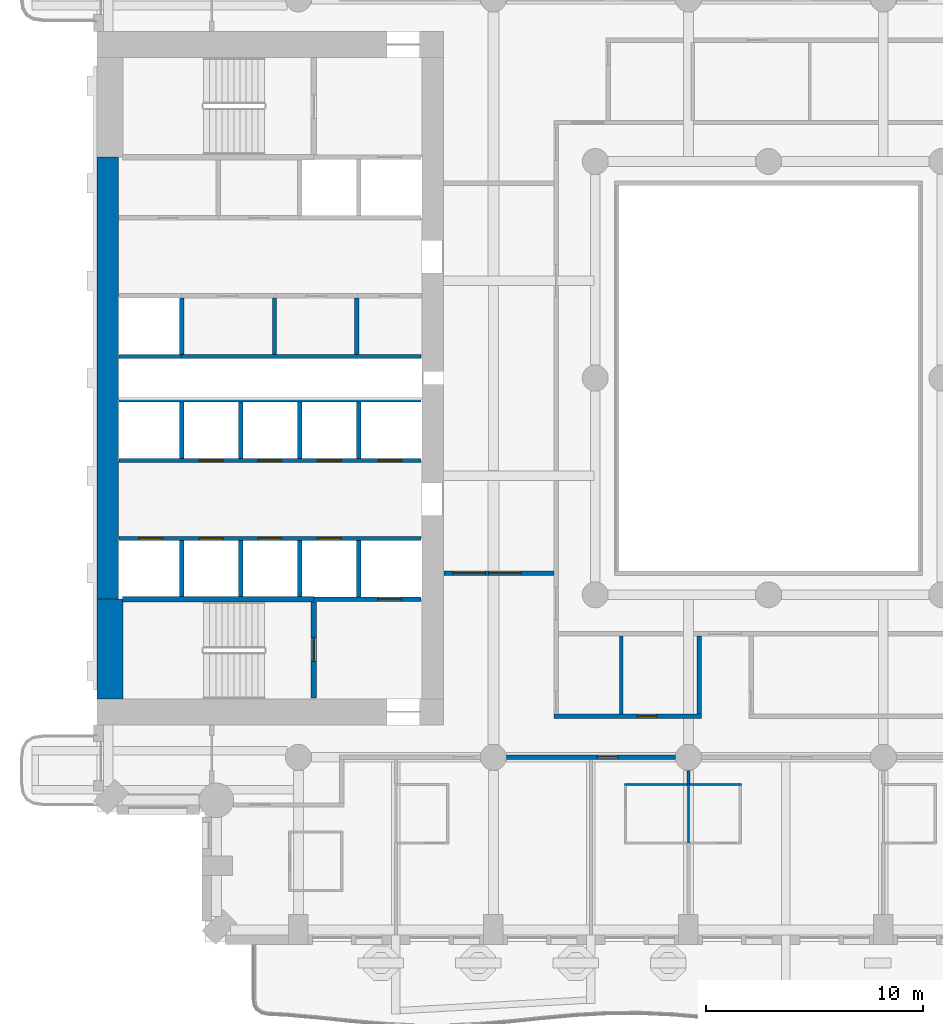
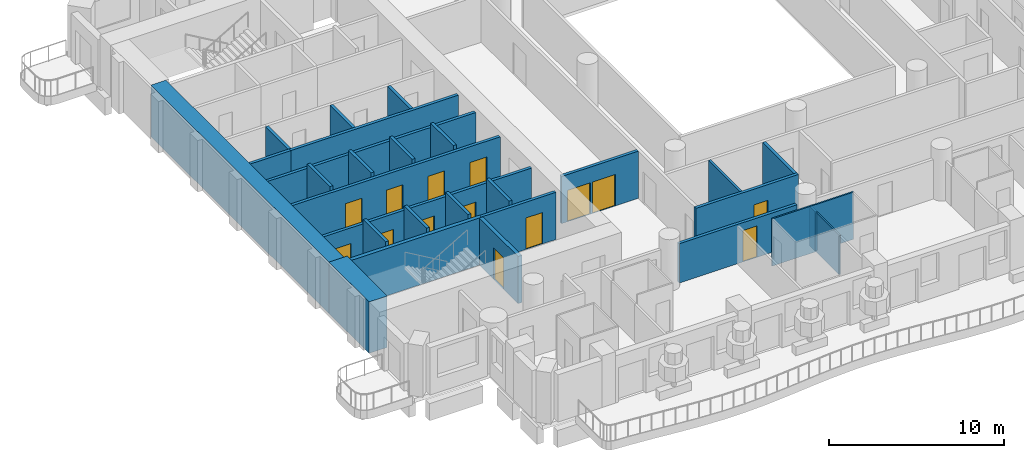
# One storey, part 4 of 20: 29 walls, 14 doors, 14 openings.
"""IFC4 building model written with IfcOpenShell, lengths in metres."""

import ifcopenshell
import ifcopenshell.guid

model = None  # the IFC model being written
_history = None  # IfcOwnerHistory: only IFC2X3 demands one
_inside = {}  # id of a spatial element -> (the spatial element, [elements in it])
_under = {}  # id of a project, library or spatial element -> (it, [spatial elements below it])
_declared = {}  # id of a project -> (the project, [libraries it declares])
_typed = {}  # id of a type object -> (the type object, [elements of that type])
_made_of = {}  # id of a material, layer set ... -> (it, [elements and type objects made of it])


def new_model(schema):
    """Start an empty IFC model of exactly this schema.

    Asked for "IFC4X3", IfcOpenShell would pick the latest addendum, in which some entities
    have other attributes; the version numbers below select the first issue.
    IFC2X3 requires an IfcOwnerHistory on every rooted entity: one is made here for all.
    """
    global model, _history
    if schema == "IFC4X3":
        model = ifcopenshell.file(schema_version=(4, 3, 0, 0))
    else:
        model = ifcopenshell.file(schema=schema)
    _inside.clear()
    _under.clear()
    _declared.clear()
    _typed.clear()
    _made_of.clear()
    _history = None
    if model.schema == "IFC2X3":
        org = make("IfcOrganization", Name="unknown")
        user = make(
            "IfcPersonAndOrganization",
            ThePerson=make("IfcPerson", FamilyName="unknown"),
            TheOrganization=org,
        )
        app = make(
            "IfcApplication",
            ApplicationDeveloper=org,
            Version="unknown",
            ApplicationFullName="unknown",
            ApplicationIdentifier="unknown",
        )
        _history = make(
            "IfcOwnerHistory",
            OwningUser=user,
            OwningApplication=app,
            ChangeAction="ADDED",
            CreationDate=0,
        )
    return model


def make(cls, **values):
    """One entity of the class cls with the attributes given. An attribute that is None is left unset."""
    return model.create_entity(
        cls, **{name: value for name, value in values.items() if value is not None}
    )


def rooted(cls, **values):
    """An entity with a GlobalId (a new one), such as an element, a storey or a relation."""
    return make(cls, GlobalId=ifcopenshell.guid.new(), OwnerHistory=_history, **values)


def si_unit(unit_type, name, prefix=None):
    """IfcSIUnit, for example si_unit("LENGTHUNIT", "METRE", prefix="MILLI")."""
    return make("IfcSIUnit", UnitType=unit_type, Prefix=prefix, Name=name)


def assignment(units):
    """IfcUnitAssignment: the units of a project."""
    return None if units is None else make("IfcUnitAssignment", Units=units)


def point(xyz):
    """IfcCartesianPoint."""
    return None if xyz is None else make("IfcCartesianPoint", Coordinates=xyz)


def direction(xyz):
    """IfcDirection."""
    return None if xyz is None else make("IfcDirection", DirectionRatios=xyz)


def frame(location, z_axis=None, x_axis=None):
    """IfcAxis2Placement3D, a coordinate frame: its origin and axes. An axis left out is left unset."""
    return make(
        "IfcAxis2Placement3D",
        Location=point(location),
        Axis=direction(z_axis),
        RefDirection=direction(x_axis),
    )


def frame_2d(location, x_axis=None):
    """IfcAxis2Placement2D, a coordinate frame in the plane: its origin and x axis."""
    return make(
        "IfcAxis2Placement2D", Location=point(location), RefDirection=direction(x_axis)
    )


def origin():
    """The frame at (0, 0, 0) with its axes left unset."""
    return frame((0.0, 0.0, 0.0))


def place(relative_to, where):
    """IfcLocalPlacement: puts the frame where relative to a parent placement (None: the world)."""
    return make(
        "IfcLocalPlacement", PlacementRelTo=relative_to, RelativePlacement=where
    )


def context(
    kind, dimensions, precision=None, world=None, true_north=None, identifier=None
):
    """IfcGeometricRepresentationContext, for example the 3D "Model" context."""
    return make(
        "IfcGeometricRepresentationContext",
        ContextIdentifier=identifier,
        ContextType=kind,
        CoordinateSpaceDimension=dimensions,
        Precision=precision,
        WorldCoordinateSystem=world,
        TrueNorth=true_north,
    )


def subcontext(parent, identifier, kind, view, scale=None):
    """IfcGeometricRepresentationSubContext, for example "Body" below "Model"."""
    return make(
        "IfcGeometricRepresentationSubContext",
        ContextIdentifier=identifier,
        ContextType=kind,
        ParentContext=parent,
        TargetScale=scale,
        TargetView=view,
    )


def project(units=None, contexts=None):
    """IfcProject with its units and contexts."""
    return rooted(
        "IfcProject",
        Name="project",
        RepresentationContexts=contexts,
        UnitsInContext=assignment(units),
    )


def spatial(cls, under=None, at=None, **own):
    """A site, building, storey or space (cls), placed at a placement, below another one or the project."""
    s = rooted(cls, ObjectPlacement=at, **own)
    if under is not None:
        _under.setdefault(under.id(), (under, []))[1].append(s)
    return s


def profile(cls, at=None, kind="AREA", **sizes):
    """A parametric profile (cls). Its sizes go by their IFC names, for example OverallWidth=200.0."""
    return make(cls, ProfileType=kind, Position=at, **sizes)


def rectangle(**sizes):
    """IfcRectangleProfileDef."""
    return profile("IfcRectangleProfileDef", **sizes)


def extrude(swept, where, along, depth):
    """IfcExtrudedAreaSolid: the profile swept, set in the frame where, extruded along a direction by depth."""
    return make(
        "IfcExtrudedAreaSolid",
        SweptArea=swept,
        Position=where,
        ExtrudedDirection=direction(along),
        Depth=depth,
    )


def shape(context_of_items, identifier, shape_type, items):
    """IfcShapeRepresentation: the items that make up one representation, for example the "Body"."""
    return make(
        "IfcShapeRepresentation",
        ContextOfItems=context_of_items,
        RepresentationIdentifier=identifier,
        RepresentationType=shape_type,
        Items=items,
    )


def material(Name=None, Category=None):
    """IfcMaterial."""
    return make("IfcMaterial", Name=Name, Category=Category)


def layer(
    of_material, thickness, ventilated=None, Name=None, Category=None, Priority=None
):
    """IfcMaterialLayer: one layer of a wall or slab, of a material (None: an air gap)."""
    return make(
        "IfcMaterialLayer",
        Material=of_material,
        LayerThickness=thickness,
        IsVentilated=ventilated,
        Name=Name,
        Category=Category,
        Priority=Priority,
    )


def layer_set(layers, Name=None):
    """IfcMaterialLayerSet."""
    return make("IfcMaterialLayerSet", MaterialLayers=layers, LayerSetName=Name)


def made_of(thing, what):
    """Note that an element or type object is made of a material, layer set ...; save() writes the relation."""
    if what is not None:
        _made_of.setdefault(what.id(), (what, []))[1].append(thing)
    return thing


def type_object(cls, material=None, **own):
    """A type object (cls), such as IfcWallType, which elements share."""
    return made_of(rooted(cls, **own), material)


def element(
    cls,
    number,
    at=None,
    inside=None,
    cuts=None,
    type_object=None,
    material=None,
    context=None,
    identifier="Body",
    shape_type=None,
    held_by="IfcProductDefinitionShape",
    body=None,
    shapes=None,
    **own,
):
    """One element of the class cls, such as IfcWall. Its Tag is "e" and its number.

    at: its placement. inside: the storey or other place that contains it. cuts: it is an
    opening in that element (IfcRelVoidsElement). A single representation is given by context,
    identifier, shape_type and body (its items); several are given by shapes. held_by: the class
    of the entity that holds the representations. save() writes the other relations.
    """
    e = rooted(cls, Tag="e%d" % number, ObjectPlacement=at, **own)
    if body is not None:
        shapes = [shape(context, identifier, shape_type, body)]
    if shapes is not None:
        e.Representation = make(held_by, Representations=shapes)
    if inside is not None:
        _inside.setdefault(inside.id(), (inside, []))[1].append(e)
    if cuts is not None:
        rooted(
            "IfcRelVoidsElement", RelatingBuildingElement=cuts, RelatedOpeningElement=e
        )
    if type_object is not None:
        _typed.setdefault(type_object.id(), (type_object, []))[1].append(e)
    return made_of(e, material)


def fill(opening, filler):
    """IfcRelFillsElement: the door or window that sits in an opening."""
    return rooted(
        "IfcRelFillsElement",
        RelatingOpeningElement=opening,
        RelatedBuildingElement=filler,
    )


def aggregate(whole, parts):
    """IfcRelAggregates: a whole, such as a stair, and the parts it consists of."""
    return rooted("IfcRelAggregates", RelatingObject=whole, RelatedObjects=parts)


def save(model, path):
    """Write the relations noted so far, then the file.

    IfcRelAggregates (storeys below a building ...), IfcRelContainedInSpatialStructure (elements
    in a storey), IfcRelDefinesByType, IfcRelAssociatesMaterial and IfcRelDeclares: one each for
    every whole, place, type object, material and project.
    """
    for whole, parts in _under.values():
        aggregate(whole, parts)
    for where, things in _inside.values():
        rooted(
            "IfcRelContainedInSpatialStructure",
            RelatedElements=things,
            RelatingStructure=where,
        )
    for kind, things in _typed.values():
        rooted("IfcRelDefinesByType", RelatedObjects=things, RelatingType=kind)
    for what, things in _made_of.values():
        rooted("IfcRelAssociatesMaterial", RelatedObjects=things, RelatingMaterial=what)
    for by, libraries in _declared.values():
        rooted("IfcRelDeclares", RelatingContext=by, RelatedDefinitions=libraries)
    model.write(path)


model = new_model("IFC4")

# Units and contexts
model_context = context("Model", 3, precision=1e-05, world=origin(), true_north=direction((0.0, 1.0)))
body_context = subcontext(model_context, "Body", "Model", "MODEL_VIEW")
ifc_project = project(units=[si_unit("LENGTHUNIT", "METRE"), si_unit("AREAUNIT", "SQUARE_METRE"), si_unit("VOLUMEUNIT", "CUBIC_METRE"), si_unit("PLANEANGLEUNIT", "RADIAN"), si_unit("MASSUNIT", "GRAM", prefix="KILO")], contexts=[model_context])

# Site, building, storey
site_placement = place(None, origin())
site = spatial("IfcSite", under=ifc_project, at=site_placement, CompositionType="ELEMENT")
building_placement = place(site_placement, origin())
building = spatial("IfcBuilding", under=site, at=building_placement, Name="Cypress Arch Tower", CompositionType="ELEMENT")
storey_placement = place(building_placement, frame((0.0, 0.0, 87.89990234375)))
storey = spatial("IfcBuildingStorey", under=building, at=storey_placement, Name="L16", CompositionType="ELEMENT", Elevation=87.89990234375)

# Walls
ifc_material_1 = material(Name="Concrete C80/95", Category="concrete")
ifc_layer_1 = layer(ifc_material_1, 1.0)
ifc_layer_set_1 = layer_set([ifc_layer_1], Name="Core wall CW1000 C80/95")
wall_type_1 = type_object("IfcWallType", Name="Core wall CW1000 C80/95", PredefinedType="SHEAR", material=ifc_layer_set_1)
wall_1_placement = place(storey_placement, frame((-29.5, -10.199951171875, 0.0), z_axis=(0.0, 0.0, 1.0), x_axis=(0.0, 1.0, 0.0)))
element("IfcWall", 1, at=wall_1_placement, inside=storey, type_object=wall_type_1, Name="Core wall", PredefinedType="SHEAR", context=body_context, shape_type="SweptSolid", body=[
    extrude(rectangle(XDim=20.39990234375, YDim=1.0, at=frame_2d((10.199951171875, 0.0))), origin(), (0.0, 0.0, 1.0), 3.60009765625),
])
ifc_material_2 = material(Name="Concrete C80/95", Category="concrete")
ifc_layer_2 = layer(ifc_material_2, 1.199951171875)
ifc_layer_set_2 = layer_set([ifc_layer_2], Name="Core wall CW1200 C80/95")
wall_type_2 = type_object("IfcWallType", Name="Core wall CW1200 C80/95", PredefinedType="SHEAR", material=ifc_layer_set_2)
wall_2_placement = place(storey_placement, frame((-29.39990234375, -14.800048828125, 0.0), z_axis=(0.0, 0.0, 1.0), x_axis=(0.0, 1.0, 0.0)))
element("IfcWall", 2, at=wall_2_placement, inside=storey, type_object=wall_type_2, Name="Core wall", PredefinedType="SHEAR", context=body_context, shape_type="SweptSolid", body=[
    extrude(rectangle(XDim=4.60009765625, YDim=1.199951171875, at=frame_2d((2.300048828125, 0.0))), origin(), (0.0, 0.0, 1.0), 3.60009765625),
])

# Wall, opening, door
ifc_material_3 = material(Name="Concrete blockwork, plastered, rated", Category="masonry")
ifc_layer_3 = layer(ifc_material_3, 0.199951171875)
ifc_layer_set_3 = layer_set([ifc_layer_3], Name="Corridor wall FW200")
wall_type_3 = type_object("IfcWallType", Name="Corridor wall FW200", PredefinedType="PARTITIONING", material=ifc_layer_set_3)
wall_3_placement = place(storey_placement, frame((-11.10009765625, -17.5, 0.0), z_axis=(0.0, 0.0, 1.0), x_axis=(1.0, 0.0, 0.0)))
wall_3 = element("IfcWall", 3, at=wall_3_placement, inside=storey, type_object=wall_type_3, Name="Corridor wall", PredefinedType="PARTITIONING", context=body_context, shape_type="SweptSolid", body=[
    extrude(rectangle(XDim=7.800048828125, YDim=0.199951171875, at=frame_2d((3.89990234375, 0.0))), origin(), (0.0, 0.0, 1.0), 2.75),
])
opening_1_placement = place(wall_3_placement, frame((4.199951171875, 0.0, 0.0)))
opening_1 = element("IfcOpeningElement", 4, at=opening_1_placement, cuts=wall_3, Name="Opening D02", PredefinedType="OPENING", context=body_context, shape_type="SweptSolid", body=[
    extrude(rectangle(XDim=0.949951171875, YDim=2.199951171875, at=frame_2d((0.47509765625, 1.10009765625))), frame((0.0, 0.10986328125, 0.0), z_axis=(0.0, -1.0, 0.0), x_axis=(1.0, 0.0, 0.0)), (0.0, 0.0, 1.0), 0.219970703125),
])
ifc_material_4 = material(Name="Timber flush door, fire resisting", Category="wood")
door_type_1 = type_object("IfcDoorType", Name="Room door D02 950x2200", OperationType="SINGLE_SWING_LEFT", PredefinedType="DOOR", material=ifc_material_4)
door_1_placement = place(opening_1_placement, origin())
door_1 = element("IfcDoor", 5, at=door_1_placement, inside=storey, type_object=door_type_1, Name="Room door", OperationType="SINGLE_SWING_RIGHT", OverallHeight=2.199951171875, OverallWidth=0.949951171875, PredefinedType="DOOR", context=body_context, shape_type="SweptSolid", body=[
    extrude(rectangle(XDim=0.949951171875, YDim=2.199951171875, at=frame_2d((0.47509765625, 1.10009765625))), frame((0.0, 0.02490234375, 0.0), z_axis=(0.0, -1.0, 0.0), x_axis=(1.0, 0.0, 0.0)), (0.0, 0.0, 1.0), 0.050048828125),
])
fill(opening_1, door_1)

# Wall, openings, doors
wall_4_placement = place(storey_placement, frame((-13.969970703125, -9.0, 0.0), z_axis=(0.0, 0.0, 1.0), x_axis=(1.0, 0.0, 0.0)))
wall_4 = element("IfcWall", 6, at=wall_4_placement, inside=storey, type_object=wall_type_3, Name="Corridor wall", PredefinedType="PARTITIONING", context=body_context, shape_type="SweptSolid", body=[
    extrude(rectangle(XDim=5.070068359375, YDim=0.199951171875, at=frame_2d((2.53515625, 0.0))), origin(), (0.0, 0.0, 1.0), 3.300048828125),
])
opening_2_placement = place(wall_4_placement, frame((0.39990234375, 0.0, 0.0)))
opening_2 = element("IfcOpeningElement", 7, at=opening_2_placement, cuts=wall_4, Name="Opening D04", PredefinedType="OPENING", context=body_context, shape_type="SweptSolid", body=[
    extrude(rectangle(XDim=1.5, YDim=2.199951171875, at=frame_2d((0.75, 1.10009765625))), frame((0.0, 0.10986328125, 0.0), z_axis=(0.0, -1.0, 0.0), x_axis=(1.0, 0.0, 0.0)), (0.0, 0.0, 1.0), 0.219970703125),
])
opening_3_placement = place(wall_4_placement, frame((2.050048828125, 0.0, 0.0)))
opening_3 = element("IfcOpeningElement", 8, at=opening_3_placement, cuts=wall_4, Name="Opening D04", PredefinedType="OPENING", context=body_context, shape_type="SweptSolid", body=[
    extrude(rectangle(XDim=1.5, YDim=2.199951171875, at=frame_2d((0.75, 1.10009765625))), frame((0.0, 0.10986328125, 0.0), z_axis=(0.0, -1.0, 0.0), x_axis=(1.0, 0.0, 0.0)), (0.0, 0.0, 1.0), 0.219970703125),
])
ifc_material_5 = material(Name="Timber double door", Category="wood")
door_type_2 = type_object("IfcDoorType", Name="Double door D04 1500x2200", OperationType="DOUBLE_DOOR_SINGLE_SWING", PredefinedType="DOOR", material=ifc_material_5)
door_2_placement = place(opening_2_placement, origin())
door_2 = element("IfcDoor", 9, at=door_2_placement, inside=storey, type_object=door_type_2, Name="Double door", OperationType="DOUBLE_DOOR_SINGLE_SWING", OverallHeight=2.199951171875, OverallWidth=1.5, PredefinedType="DOOR", context=body_context, shape_type="SweptSolid", body=[
    extrude(rectangle(XDim=1.5, YDim=2.199951171875, at=frame_2d((0.75, 1.10009765625))), frame((0.0, 0.02490234375, 0.0), z_axis=(0.0, -1.0, 0.0), x_axis=(1.0, 0.0, 0.0)), (0.0, 0.0, 1.0), 0.050048828125),
])
fill(opening_2, door_2)
door_3_placement = place(opening_3_placement, origin())
door_3 = element("IfcDoor", 10, at=door_3_placement, inside=storey, type_object=door_type_2, Name="Double door", OperationType="DOUBLE_DOOR_SINGLE_SWING", OverallHeight=2.199951171875, OverallWidth=1.5, PredefinedType="DOOR", context=body_context, shape_type="SweptSolid", body=[
    extrude(rectangle(XDim=1.5, YDim=2.199951171875, at=frame_2d((0.75, 1.10009765625))), frame((0.0, 0.02490234375, 0.0), z_axis=(0.0, -1.0, 0.0), x_axis=(1.0, 0.0, 0.0)), (0.0, 0.0, 1.0), 0.050048828125),
])
fill(opening_3, door_3)

# Wall, opening, door
wall_5_placement = place(storey_placement, frame((-8.89990234375, -15.60009765625, 0.0), z_axis=(0.0, 0.0, 1.0), x_axis=(1.0, 0.0, 0.0)))
wall_5 = element("IfcWall", 11, at=wall_5_placement, inside=storey, type_object=wall_type_3, Name="Corridor wall", PredefinedType="PARTITIONING", context=body_context, shape_type="SweptSolid", body=[
    extrude(rectangle(XDim=6.7998046875, YDim=0.199951171875, at=frame_2d((3.39990234375, 0.0))), origin(), (0.0, 0.0, 1.0), 3.300048828125),
])
opening_4_placement = place(wall_5_placement, frame((3.85009765625, 0.0, 0.0)))
opening_4 = element("IfcOpeningElement", 12, at=opening_4_placement, cuts=wall_5, Name="Opening D05", PredefinedType="OPENING", context=body_context, shape_type="SweptSolid", body=[
    extrude(rectangle(XDim=0.89990234375, YDim=2.199951171875, at=frame_2d((0.449951171875, 1.10009765625))), frame((0.0, 0.10986328125, 0.0), z_axis=(0.0, -1.0, 0.0), x_axis=(1.0, 0.0, 0.0)), (0.0, 0.0, 1.0), 0.219970703125),
])
ifc_material_6 = material(Name="Timber flush door", Category="wood")
door_type_3 = type_object("IfcDoorType", Name="Service door D05 900x2200", OperationType="SINGLE_SWING_LEFT", PredefinedType="DOOR", material=ifc_material_6)
door_4_placement = place(opening_4_placement, origin())
door_4 = element("IfcDoor", 13, at=door_4_placement, inside=storey, type_object=door_type_3, Name="Service door", OperationType="SINGLE_SWING_LEFT", OverallHeight=2.199951171875, OverallWidth=0.89990234375, PredefinedType="DOOR", context=body_context, shape_type="SweptSolid", body=[
    extrude(rectangle(XDim=0.89990234375, YDim=2.199951171875, at=frame_2d((0.449951171875, 1.10009765625))), frame((0.0, 0.02490234375, 0.0), z_axis=(0.0, -1.0, 0.0), x_axis=(1.0, 0.0, 0.0)), (0.0, 0.0, 1.0), 0.050048828125),
])
fill(opening_4, door_4)

# Walls
wall_6_placement = place(storey_placement, frame((-2.199951171875, -15.5, 0.0), z_axis=(0.0, 0.0, 1.0), x_axis=(0.0, 1.0, 0.0)))
element("IfcWall", 14, at=wall_6_placement, inside=storey, type_object=wall_type_3, Name="Corridor wall", PredefinedType="PARTITIONING", context=body_context, shape_type="SweptSolid", body=[
    extrude(rectangle(XDim=3.60009765625, YDim=0.199951171875, at=frame_2d((1.800048828125, 0.0))), origin(), (0.0, 0.0, 1.0), 3.300048828125),
])
ifc_material_7 = material(Name="Blockwork, plastered both sides", Category="masonry")
ifc_layer_4 = layer(ifc_material_7, 0.14990234375)
ifc_layer_set_4 = layer_set([ifc_layer_4], Name="Partition PW150")
wall_type_4 = type_object("IfcWallType", Name="Partition PW150", PredefinedType="PARTITIONING", material=ifc_layer_set_4)
wall_7_placement = place(storey_placement, frame((-5.800048828125, -15.5, 0.0), z_axis=(0.0, 0.0, 1.0), x_axis=(0.0, 1.0, 0.0)))
element("IfcWall", 15, at=wall_7_placement, inside=storey, type_object=wall_type_4, Name="Partition", PredefinedType="PARTITIONING", context=body_context, shape_type="SweptSolid", body=[
    extrude(rectangle(XDim=3.60009765625, YDim=0.14990234375, at=frame_2d((1.800048828125, 0.0))), origin(), (0.0, 0.0, 1.0), 3.300048828125),
])
wall_8_placement = place(storey_placement, frame((-2.699951171875, -18.72998046875, 0.0), z_axis=(0.0, 0.0, 1.0), x_axis=(0.0, 1.0, 0.0)))
element("IfcWall", 16, at=wall_8_placement, inside=storey, type_object=wall_type_4, Name="Partition", PredefinedType="PARTITIONING", context=body_context, shape_type="SweptSolid", body=[
    extrude(rectangle(XDim=0.6298828125, YDim=0.14990234375, at=frame_2d((0.31494140625, 0.0))), origin(), (0.0, 0.0, 1.0), 2.75),
])
ifc_material_8 = material(Name="Reinforced blockwork, plastered, rated", Category="masonry")
ifc_layer_5 = layer(ifc_material_8, 0.199951171875)
ifc_layer_set_5 = layer_set([ifc_layer_5], Name="Plant and riser wall PL200")
wall_type_5 = type_object("IfcWallType", Name="Plant and riser wall PL200", PredefinedType="PARTITIONING", material=ifc_layer_set_5)
wall_9_placement = place(storey_placement, frame((-26.10009765625, 1.0, 0.0), z_axis=(0.0, 0.0, 1.0), x_axis=(1.0, 0.0, 0.0)))
element("IfcWall", 17, at=wall_9_placement, inside=storey, type_object=wall_type_5, Name="Plant and riser wall", PredefinedType="PARTITIONING", context=body_context, shape_type="SweptSolid", body=[
    extrude(rectangle(XDim=11.070068359375, YDim=0.199951171875, at=frame_2d((5.53515625, 0.0))), origin(), (0.0, 0.0, 1.0), 3.300048828125),
])
for number, where, z_axis, x_axis, name in (
    (18, (-21.800048828125, 1.10009765625, 0.0), (0.0, 0.0, 1.0), (0.0, 1.0, 0.0), "Plant and riser wall"),
    (19, (-18.0, 1.10009765625, 0.0), (0.0, 0.0, 1.0), (0.0, 1.0, 0.0), "Plant and riser wall"),
):
    element("IfcWall", number, at=place(storey_placement, frame(where, z_axis=z_axis, x_axis=x_axis)), inside=storey, type_object=wall_type_5, Name=name, PredefinedType="PARTITIONING", context=body_context, shape_type="SweptSolid", body=[
        extrude(rectangle(XDim=2.599853515625, YDim=0.199951171875, at=frame_2d((1.2998046875, 0.0))), origin(), (0.0, 0.0, 1.0), 3.300048828125),
    ])

# Wall, openings, doors
ifc_material_9 = material(Name="Concrete C50/60", Category="concrete")
ifc_layer_6 = layer(ifc_material_9, 0.199951171875)
ifc_layer_set_6 = layer_set([ifc_layer_6], Name="Shaft wall SH200")
wall_type_6 = type_object("IfcWallType", Name="Shaft wall SH200", PredefinedType="SHEAR", material=ifc_layer_set_6)
wall_10_placement = place(storey_placement, frame((-28.969970703125, -7.39990234375, 0.0), z_axis=(0.0, 0.0, 1.0), x_axis=(1.0, 0.0, 0.0)))
wall_10 = element("IfcWall", 20, at=wall_10_placement, inside=storey, type_object=wall_type_6, Name="Shaft wall", PredefinedType="SHEAR", context=body_context, shape_type="SweptSolid", body=[
    extrude(rectangle(XDim=13.93994140625, YDim=0.199951171875, at=frame_2d((6.969970703125, 0.0))), origin(), (0.0, 0.0, 1.0), 3.300048828125),
])
opening_5_placement = place(wall_10_placement, frame((0.89990234375, 0.0, 0.0)))
opening_5 = element("IfcOpeningElement", 21, at=opening_5_placement, cuts=wall_10, Name="Opening LD-LR1", PredefinedType="OPENING", context=body_context, shape_type="SweptSolid", body=[
    extrude(rectangle(XDim=1.10009765625, YDim=2.199951171875, at=frame_2d((0.550048828125, 1.10009765625))), frame((0.0, 0.10986328125, 0.0), z_axis=(0.0, -1.0, 0.0), x_axis=(1.0, 0.0, 0.0)), (0.0, 0.0, 1.0), 0.219970703125),
])
opening_6_placement = place(wall_10_placement, frame((3.699951171875, 0.0, 0.0)))
opening_6 = element("IfcOpeningElement", 22, at=opening_6_placement, cuts=wall_10, Name="Opening LD-LR2", PredefinedType="OPENING", context=body_context, shape_type="SweptSolid", body=[
    extrude(rectangle(XDim=1.10009765625, YDim=2.199951171875, at=frame_2d((0.550048828125, 1.10009765625))), frame((0.0, 0.10986328125, 0.0), z_axis=(0.0, -1.0, 0.0), x_axis=(1.0, 0.0, 0.0)), (0.0, 0.0, 1.0), 0.219970703125),
])
opening_7_placement = place(wall_10_placement, frame((6.39990234375, 0.0, 0.0)))
opening_7 = element("IfcOpeningElement", 23, at=opening_7_placement, cuts=wall_10, Name="Opening LD-LR3", PredefinedType="OPENING", context=body_context, shape_type="SweptSolid", body=[
    extrude(rectangle(XDim=1.10009765625, YDim=2.199951171875, at=frame_2d((0.550048828125, 1.10009765625))), frame((0.0, 0.10986328125, 0.0), z_axis=(0.0, -1.0, 0.0), x_axis=(1.0, 0.0, 0.0)), (0.0, 0.0, 1.0), 0.219970703125),
])
opening_8_placement = place(wall_10_placement, frame((9.14990234375, 0.0, 0.0)))
opening_8 = element("IfcOpeningElement", 24, at=opening_8_placement, cuts=wall_10, Name="Opening LD-LR4", PredefinedType="OPENING", context=body_context, shape_type="SweptSolid", body=[
    extrude(rectangle(XDim=1.10009765625, YDim=2.199951171875, at=frame_2d((0.550048828125, 1.10009765625))), frame((0.0, 0.10986328125, 0.0), z_axis=(0.0, -1.0, 0.0), x_axis=(1.0, 0.0, 0.0)), (0.0, 0.0, 1.0), 0.219970703125),
])
ifc_material_10 = material(Name="Stainless steel centre-opening landing door, rated", Category="steel")
door_type_4 = type_object("IfcDoorType", Name="Lift landing door LD 1100x2200", OperationType="DOUBLE_DOOR_SLIDING", PredefinedType="DOOR", material=ifc_material_10)
door_5_placement = place(opening_5_placement, origin())
door_5 = element("IfcDoor", 25, at=door_5_placement, inside=storey, type_object=door_type_4, Name="Lift landing doors LR1", OperationType="DOUBLE_DOOR_SLIDING", OverallHeight=2.199951171875, OverallWidth=1.10009765625, PredefinedType="DOOR", context=body_context, shape_type="SweptSolid", body=[
    extrude(rectangle(XDim=1.10009765625, YDim=2.199951171875, at=frame_2d((0.550048828125, 1.10009765625))), frame((0.0, 0.02490234375, 0.0), z_axis=(0.0, -1.0, 0.0), x_axis=(1.0, 0.0, 0.0)), (0.0, 0.0, 1.0), 0.050048828125),
])
fill(opening_5, door_5)
door_6_placement = place(opening_6_placement, origin())
door_6 = element("IfcDoor", 26, at=door_6_placement, inside=storey, type_object=door_type_4, Name="Lift landing doors LR2", OperationType="DOUBLE_DOOR_SLIDING", OverallHeight=2.199951171875, OverallWidth=1.10009765625, PredefinedType="DOOR", context=body_context, shape_type="SweptSolid", body=[
    extrude(rectangle(XDim=1.10009765625, YDim=2.199951171875, at=frame_2d((0.550048828125, 1.10009765625))), frame((0.0, 0.02490234375, 0.0), z_axis=(0.0, -1.0, 0.0), x_axis=(1.0, 0.0, 0.0)), (0.0, 0.0, 1.0), 0.050048828125),
])
fill(opening_6, door_6)
door_7_placement = place(opening_7_placement, origin())
door_7 = element("IfcDoor", 27, at=door_7_placement, inside=storey, type_object=door_type_4, Name="Lift landing doors LR3", OperationType="DOUBLE_DOOR_SLIDING", OverallHeight=2.199951171875, OverallWidth=1.10009765625, PredefinedType="DOOR", context=body_context, shape_type="SweptSolid", body=[
    extrude(rectangle(XDim=1.10009765625, YDim=2.199951171875, at=frame_2d((0.550048828125, 1.10009765625))), frame((0.0, 0.02490234375, 0.0), z_axis=(0.0, -1.0, 0.0), x_axis=(1.0, 0.0, 0.0)), (0.0, 0.0, 1.0), 0.050048828125),
])
fill(opening_7, door_7)
door_8_placement = place(opening_8_placement, origin())
door_8 = element("IfcDoor", 28, at=door_8_placement, inside=storey, type_object=door_type_4, Name="Lift landing doors LR4", OperationType="DOUBLE_DOOR_SLIDING", OverallHeight=2.199951171875, OverallWidth=1.10009765625, PredefinedType="DOOR", context=body_context, shape_type="SweptSolid", body=[
    extrude(rectangle(XDim=1.10009765625, YDim=2.199951171875, at=frame_2d((0.550048828125, 1.10009765625))), frame((0.0, 0.02490234375, 0.0), z_axis=(0.0, -1.0, 0.0), x_axis=(1.0, 0.0, 0.0)), (0.0, 0.0, 1.0), 0.050048828125),
])
fill(opening_8, door_8)

wall_11_placement = place(storey_placement, frame((-28.969970703125, -3.800048828125, 0.0), z_axis=(0.0, 0.0, 1.0), x_axis=(1.0, 0.0, 0.0)))
wall_11 = element("IfcWall", 29, at=wall_11_placement, inside=storey, type_object=wall_type_6, Name="Shaft wall", PredefinedType="SHEAR", context=body_context, shape_type="SweptSolid", body=[
    extrude(rectangle(XDim=13.93994140625, YDim=0.199951171875, at=frame_2d((6.969970703125, 0.0))), origin(), (0.0, 0.0, 1.0), 3.300048828125),
])
opening_9_placement = place(wall_11_placement, frame((3.699951171875, 0.0, 0.0)))
opening_9 = element("IfcOpeningElement", 30, at=opening_9_placement, cuts=wall_11, Name="Opening LD-LR5", PredefinedType="OPENING", context=body_context, shape_type="SweptSolid", body=[
    extrude(rectangle(XDim=1.10009765625, YDim=2.199951171875, at=frame_2d((0.550048828125, 1.10009765625))), frame((0.0, 0.10986328125, 0.0), z_axis=(0.0, -1.0, 0.0), x_axis=(1.0, 0.0, 0.0)), (0.0, 0.0, 1.0), 0.219970703125),
])
opening_10_placement = place(wall_11_placement, frame((6.39990234375, 0.0, 0.0)))
opening_10 = element("IfcOpeningElement", 31, at=opening_10_placement, cuts=wall_11, Name="Opening LD-LR6", PredefinedType="OPENING", context=body_context, shape_type="SweptSolid", body=[
    extrude(rectangle(XDim=1.10009765625, YDim=2.199951171875, at=frame_2d((0.550048828125, 1.10009765625))), frame((0.0, 0.10986328125, 0.0), z_axis=(0.0, -1.0, 0.0), x_axis=(1.0, 0.0, 0.0)), (0.0, 0.0, 1.0), 0.219970703125),
])
opening_11_placement = place(wall_11_placement, frame((9.14990234375, 0.0, 0.0)))
opening_11 = element("IfcOpeningElement", 32, at=opening_11_placement, cuts=wall_11, Name="Opening LD-LR7", PredefinedType="OPENING", context=body_context, shape_type="SweptSolid", body=[
    extrude(rectangle(XDim=1.10009765625, YDim=2.199951171875, at=frame_2d((0.550048828125, 1.10009765625))), frame((0.0, 0.10986328125, 0.0), z_axis=(0.0, -1.0, 0.0), x_axis=(1.0, 0.0, 0.0)), (0.0, 0.0, 1.0), 0.219970703125),
])
opening_12_placement = place(wall_11_placement, frame((11.949951171875, 0.0, 0.0)))
opening_12 = element("IfcOpeningElement", 33, at=opening_12_placement, cuts=wall_11, Name="Opening LD-LR8", PredefinedType="OPENING", context=body_context, shape_type="SweptSolid", body=[
    extrude(rectangle(XDim=1.10009765625, YDim=2.199951171875, at=frame_2d((0.550048828125, 1.10009765625))), frame((0.0, 0.10986328125, 0.0), z_axis=(0.0, -1.0, 0.0), x_axis=(1.0, 0.0, 0.0)), (0.0, 0.0, 1.0), 0.219970703125),
])
door_9_placement = place(opening_9_placement, origin())
door_9 = element("IfcDoor", 34, at=door_9_placement, inside=storey, type_object=door_type_4, Name="Lift landing doors LR5", OperationType="DOUBLE_DOOR_SLIDING", OverallHeight=2.199951171875, OverallWidth=1.10009765625, PredefinedType="DOOR", context=body_context, shape_type="SweptSolid", body=[
    extrude(rectangle(XDim=1.10009765625, YDim=2.199951171875, at=frame_2d((0.550048828125, 1.10009765625))), frame((0.0, 0.02490234375, 0.0), z_axis=(0.0, -1.0, 0.0), x_axis=(1.0, 0.0, 0.0)), (0.0, 0.0, 1.0), 0.050048828125),
])
fill(opening_9, door_9)
door_10_placement = place(opening_10_placement, origin())
door_10 = element("IfcDoor", 35, at=door_10_placement, inside=storey, type_object=door_type_4, Name="Lift landing doors LR6", OperationType="DOUBLE_DOOR_SLIDING", OverallHeight=2.199951171875, OverallWidth=1.10009765625, PredefinedType="DOOR", context=body_context, shape_type="SweptSolid", body=[
    extrude(rectangle(XDim=1.10009765625, YDim=2.199951171875, at=frame_2d((0.550048828125, 1.10009765625))), frame((0.0, 0.02490234375, 0.0), z_axis=(0.0, -1.0, 0.0), x_axis=(1.0, 0.0, 0.0)), (0.0, 0.0, 1.0), 0.050048828125),
])
fill(opening_10, door_10)
door_11_placement = place(opening_11_placement, origin())
door_11 = element("IfcDoor", 36, at=door_11_placement, inside=storey, type_object=door_type_4, Name="Lift landing doors LR7", OperationType="DOUBLE_DOOR_SLIDING", OverallHeight=2.199951171875, OverallWidth=1.10009765625, PredefinedType="DOOR", context=body_context, shape_type="SweptSolid", body=[
    extrude(rectangle(XDim=1.10009765625, YDim=2.199951171875, at=frame_2d((0.550048828125, 1.10009765625))), frame((0.0, 0.02490234375, 0.0), z_axis=(0.0, -1.0, 0.0), x_axis=(1.0, 0.0, 0.0)), (0.0, 0.0, 1.0), 0.050048828125),
])
fill(opening_11, door_11)
door_12_placement = place(opening_12_placement, origin())
door_12 = element("IfcDoor", 37, at=door_12_placement, inside=storey, type_object=door_type_4, Name="Lift landing doors LR8", OperationType="DOUBLE_DOOR_SLIDING", OverallHeight=2.199951171875, OverallWidth=1.10009765625, PredefinedType="DOOR", context=body_context, shape_type="SweptSolid", body=[
    extrude(rectangle(XDim=1.10009765625, YDim=2.199951171875, at=frame_2d((0.550048828125, 1.10009765625))), frame((0.0, 0.02490234375, 0.0), z_axis=(0.0, -1.0, 0.0), x_axis=(1.0, 0.0, 0.0)), (0.0, 0.0, 1.0), 0.050048828125),
])
fill(opening_12, door_12)

# Walls
wall_12_placement = place(storey_placement, frame((-28.969970703125, -1.0, 0.0), z_axis=(0.0, 0.0, 1.0), x_axis=(1.0, 0.0, 0.0)))
element("IfcWall", 38, at=wall_12_placement, inside=storey, type_object=wall_type_6, Name="Shaft wall", PredefinedType="SHEAR", context=body_context, shape_type="SweptSolid", body=[
    extrude(rectangle(XDim=13.93994140625, YDim=0.199951171875, at=frame_2d((6.969970703125, 0.0))), origin(), (0.0, 0.0, 1.0), 3.300048828125),
])
wall_13_placement = place(storey_placement, frame((-28.969970703125, 1.0, 0.0), z_axis=(0.0, 0.0, 1.0), x_axis=(1.0, 0.0, 0.0)))
element("IfcWall", 39, at=wall_13_placement, inside=storey, type_object=wall_type_6, Name="Shaft wall", PredefinedType="SHEAR", context=body_context, shape_type="SweptSolid", body=[
    extrude(rectangle(XDim=2.869873046875, YDim=0.199951171875, at=frame_2d((1.43505859375, 0.0))), origin(), (0.0, 0.0, 1.0), 3.300048828125),
])
wall_14_placement = place(storey_placement, frame((-26.080078125, -10.074951171875, 0.0), z_axis=(0.0, 0.0, 1.0), x_axis=(0.0, 1.0, 0.0)))
element("IfcWall", 40, at=wall_14_placement, inside=storey, type_object=wall_type_6, Name="Shaft wall", PredefinedType="SHEAR", context=body_context, shape_type="SweptSolid", body=[
    extrude(rectangle(XDim=2.574951171875, YDim=0.199951171875, at=frame_2d((1.28759765625, 0.0))), origin(), (0.0, 0.0, 1.0), 3.60009765625),
])
wall_15_placement = place(storey_placement, frame((-26.080078125, -3.699951171875, 0.0), z_axis=(0.0, 0.0, 1.0), x_axis=(0.0, 1.0, 0.0)))
element("IfcWall", 41, at=wall_15_placement, inside=storey, type_object=wall_type_6, Name="Shaft wall", PredefinedType="SHEAR", context=body_context, shape_type="SweptSolid", body=[
    extrude(rectangle(XDim=2.599853515625, YDim=0.199951171875, at=frame_2d((1.2998046875, 0.0))), origin(), (0.0, 0.0, 1.0), 3.60009765625),
])
wall_16_placement = place(storey_placement, frame((-26.080078125, 1.10009765625, 0.0), z_axis=(0.0, 0.0, 1.0), x_axis=(0.0, 1.0, 0.0)))
element("IfcWall", 42, at=wall_16_placement, inside=storey, type_object=wall_type_6, Name="Shaft wall", PredefinedType="SHEAR", context=body_context, shape_type="SweptSolid", body=[
    extrude(rectangle(XDim=2.599853515625, YDim=0.199951171875, at=frame_2d((1.2998046875, 0.0))), origin(), (0.0, 0.0, 1.0), 3.300048828125),
])
wall_17_placement = place(storey_placement, frame((-23.360107421875, -10.074951171875, 0.0), z_axis=(0.0, 0.0, 1.0), x_axis=(0.0, 1.0, 0.0)))
element("IfcWall", 43, at=wall_17_placement, inside=storey, type_object=wall_type_6, Name="Shaft wall", PredefinedType="SHEAR", context=body_context, shape_type="SweptSolid", body=[
    extrude(rectangle(XDim=2.574951171875, YDim=0.199951171875, at=frame_2d((1.28759765625, 0.0))), origin(), (0.0, 0.0, 1.0), 3.60009765625),
])
wall_18_placement = place(storey_placement, frame((-23.360107421875, -3.699951171875, 0.0), z_axis=(0.0, 0.0, 1.0), x_axis=(0.0, 1.0, 0.0)))
element("IfcWall", 44, at=wall_18_placement, inside=storey, type_object=wall_type_6, Name="Shaft wall", PredefinedType="SHEAR", context=body_context, shape_type="SweptSolid", body=[
    extrude(rectangle(XDim=2.599853515625, YDim=0.199951171875, at=frame_2d((1.2998046875, 0.0))), origin(), (0.0, 0.0, 1.0), 3.60009765625),
])
wall_19_placement = place(storey_placement, frame((-20.639892578125, -10.074951171875, 0.0), z_axis=(0.0, 0.0, 1.0), x_axis=(0.0, 1.0, 0.0)))
element("IfcWall", 45, at=wall_19_placement, inside=storey, type_object=wall_type_6, Name="Shaft wall", PredefinedType="SHEAR", context=body_context, shape_type="SweptSolid", body=[
    extrude(rectangle(XDim=2.574951171875, YDim=0.199951171875, at=frame_2d((1.28759765625, 0.0))), origin(), (0.0, 0.0, 1.0), 3.60009765625),
])
wall_20_placement = place(storey_placement, frame((-20.639892578125, -3.699951171875, 0.0), z_axis=(0.0, 0.0, 1.0), x_axis=(0.0, 1.0, 0.0)))
element("IfcWall", 46, at=wall_20_placement, inside=storey, type_object=wall_type_6, Name="Shaft wall", PredefinedType="SHEAR", context=body_context, shape_type="SweptSolid", body=[
    extrude(rectangle(XDim=2.599853515625, YDim=0.199951171875, at=frame_2d((1.2998046875, 0.0))), origin(), (0.0, 0.0, 1.0), 3.60009765625),
])

# Wall, opening, door
wall_21_placement = place(storey_placement, frame((-19.97998046875, -10.199951171875, 0.0), z_axis=(0.0, 0.0, 1.0), x_axis=(1.0, 0.0, 0.0)))
wall_21 = element("IfcWall", 47, at=wall_21_placement, inside=storey, type_object=wall_type_6, Name="Shaft wall", PredefinedType="SHEAR", context=body_context, shape_type="SweptSolid", body=[
    extrude(rectangle(XDim=4.949951171875, YDim=0.199951171875, at=frame_2d((2.47509765625, 0.0))), origin(), (0.0, 0.0, 1.0), 3.300048828125),
])
opening_13_placement = place(wall_21_placement, frame((2.949951171875, 0.0, 0.0)))
opening_13 = element("IfcOpeningElement", 48, at=opening_13_placement, cuts=wall_21, Name="Opening LD-FL1", PredefinedType="OPENING", context=body_context, shape_type="SweptSolid", body=[
    extrude(rectangle(XDim=1.10009765625, YDim=2.199951171875, at=frame_2d((0.550048828125, 1.10009765625))), frame((0.0, 0.10986328125, 0.0), z_axis=(0.0, -1.0, 0.0), x_axis=(1.0, 0.0, 0.0)), (0.0, 0.0, 1.0), 0.219970703125),
])
door_13_placement = place(opening_13_placement, origin())
door_13 = element("IfcDoor", 49, at=door_13_placement, inside=storey, type_object=door_type_4, Name="Lift landing doors FL1", OperationType="DOUBLE_DOOR_SLIDING", OverallHeight=2.199951171875, OverallWidth=1.10009765625, PredefinedType="DOOR", context=body_context, shape_type="SweptSolid", body=[
    extrude(rectangle(XDim=1.10009765625, YDim=2.199951171875, at=frame_2d((0.550048828125, 1.10009765625))), frame((0.0, 0.02490234375, 0.0), z_axis=(0.0, -1.0, 0.0), x_axis=(1.0, 0.0, 0.0)), (0.0, 0.0, 1.0), 0.050048828125),
])
fill(opening_13, door_13)

# Walls
wall_22_placement = place(storey_placement, frame((-17.919921875, -10.10009765625, 0.0), z_axis=(0.0, 0.0, 1.0), x_axis=(0.0, 1.0, 0.0)))
element("IfcWall", 50, at=wall_22_placement, inside=storey, type_object=wall_type_6, Name="Shaft wall", PredefinedType="SHEAR", context=body_context, shape_type="SweptSolid", body=[
    extrude(rectangle(XDim=2.60009765625, YDim=0.199951171875, at=frame_2d((1.300048828125, 0.0))), origin(), (0.0, 0.0, 1.0), 3.60009765625),
])
wall_23_placement = place(storey_placement, frame((-17.919921875, -3.699951171875, 0.0), z_axis=(0.0, 0.0, 1.0), x_axis=(0.0, 1.0, 0.0)))
element("IfcWall", 51, at=wall_23_placement, inside=storey, type_object=wall_type_6, Name="Shaft wall", PredefinedType="SHEAR", context=body_context, shape_type="SweptSolid", body=[
    extrude(rectangle(XDim=2.599853515625, YDim=0.199951171875, at=frame_2d((1.2998046875, 0.0))), origin(), (0.0, 0.0, 1.0), 3.60009765625),
])
ifc_material_11 = material(Name="Concrete C50/60", Category="concrete")
ifc_layer_7 = layer(ifc_material_11, 0.25)
ifc_layer_set_7 = layer_set([ifc_layer_7], Name="Stair enclosure wall SW250")
wall_type_7 = type_object("IfcWallType", Name="Stair enclosure wall SW250", PredefinedType="SHEAR", material=ifc_layer_set_7)
wall_24_placement = place(storey_placement, frame((-28.81005859375, -10.199951171875, 0.0), z_axis=(0.0, 0.0, 1.0), x_axis=(1.0, 0.0, 0.0)))
element("IfcWall", 52, at=wall_24_placement, inside=storey, type_object=wall_type_7, Name="Stair enclosure wall", PredefinedType="SHEAR", context=body_context, shape_type="SweptSolid", body=[
    extrude(rectangle(XDim=8.830078125, YDim=0.25, at=frame_2d((4.4150390625, 0.0))), origin(), (0.0, 0.0, 1.0), 3.300048828125),
])

# Wall, opening, door
wall_25_placement = place(storey_placement, frame((-20.0, -14.77001953125, 0.0), z_axis=(0.0, 0.0, 1.0), x_axis=(0.0, 1.0, 0.0)))
wall_25 = element("IfcWall", 53, at=wall_25_placement, inside=storey, type_object=wall_type_7, Name="Stair enclosure wall", PredefinedType="SHEAR", context=body_context, shape_type="SweptSolid", body=[
    extrude(rectangle(XDim=4.445068359375, YDim=0.25, at=frame_2d((2.22265625, 0.0))), origin(), (0.0, 0.0, 1.0), 3.300048828125),
])
opening_14_placement = place(wall_25_placement, frame((1.699951171875, 0.0, 0.0)))
opening_14 = element("IfcOpeningElement", 54, at=opening_14_placement, cuts=wall_25, Name="Opening D06", PredefinedType="OPENING", context=body_context, shape_type="SweptSolid", body=[
    extrude(rectangle(XDim=1.10009765625, YDim=2.199951171875, at=frame_2d((0.550048828125, 1.10009765625))), frame((0.0, 0.135009765625, 0.0), z_axis=(0.0, -1.0, 0.0), x_axis=(1.0, 0.0, 0.0)), (0.0, 0.0, 1.0), 0.27001953125),
])
ifc_material_12 = material(Name="Steel door, fire resisting, panic bar", Category="steel")
door_type_5 = type_object("IfcDoorType", Name="Stair door D06 1100x2200", OperationType="SINGLE_SWING_LEFT", PredefinedType="DOOR", material=ifc_material_12)
door_14_placement = place(opening_14_placement, origin())
door_14 = element("IfcDoor", 55, at=door_14_placement, inside=storey, type_object=door_type_5, Name="Stair door", OperationType="SINGLE_SWING_RIGHT", OverallHeight=2.199951171875, OverallWidth=1.10009765625, PredefinedType="DOOR", context=body_context, shape_type="SweptSolid", body=[
    extrude(rectangle(XDim=1.10009765625, YDim=2.199951171875, at=frame_2d((0.550048828125, 1.10009765625))), frame((0.0, 0.02490234375, 0.0), z_axis=(0.0, -1.0, 0.0), x_axis=(1.0, 0.0, 0.0)), (0.0, 0.0, 1.0), 0.050048828125),
])
fill(opening_14, door_14)

# Walls
ifc_material_13 = material(Name="Moisture resistant board on steel studs, tiled", Category="steel")
ifc_layer_8 = layer(ifc_material_13, 0.10009765625)
ifc_layer_set_8 = layer_set([ifc_layer_8], Name="Wet wall PW100")
wall_type_8 = type_object("IfcWallType", Name="Wet wall PW100", PredefinedType="PARTITIONING", material=ifc_layer_set_8)
wall_26_placement = place(storey_placement, frame((-5.64599609375, -18.75, 0.0), z_axis=(0.0, 0.0, 1.0), x_axis=(1.0, 0.0, 0.0)))
element("IfcWall", 56, at=wall_26_placement, inside=storey, type_object=wall_type_8, Name="Wet wall", PredefinedType="PARTITIONING", context=body_context, shape_type="SweptSolid", body=[
    extrude(rectangle(XDim=5.39208984375, YDim=0.10009765625, at=frame_2d((2.696044921875, 0.0))), origin(), (0.0, 0.0, 1.0), 3.300048828125),
])
wall_27_placement = place(storey_placement, frame((-2.699951171875, -21.449951171875, 0.0), z_axis=(0.0, 0.0, 1.0), x_axis=(0.0, 1.0, 0.0)))
element("IfcWall", 57, at=wall_27_placement, inside=storey, type_object=wall_type_8, Name="Wet wall", PredefinedType="PARTITIONING", context=body_context, shape_type="SweptSolid", body=[
    extrude(rectangle(XDim=2.719970703125, YDim=0.10009765625, at=frame_2d((1.35986328125, 0.0))), origin(), (0.0, 0.0, 1.0), 2.75),
])

save(model, "model.ifc")
